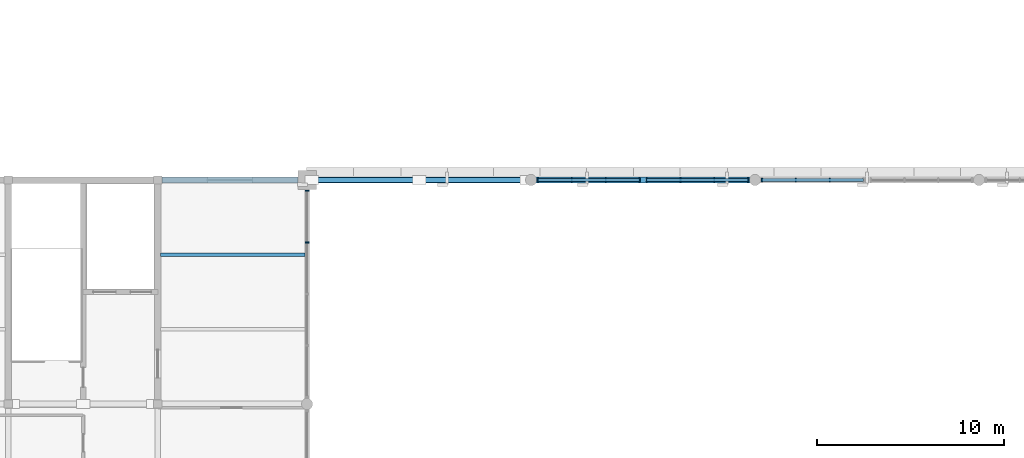
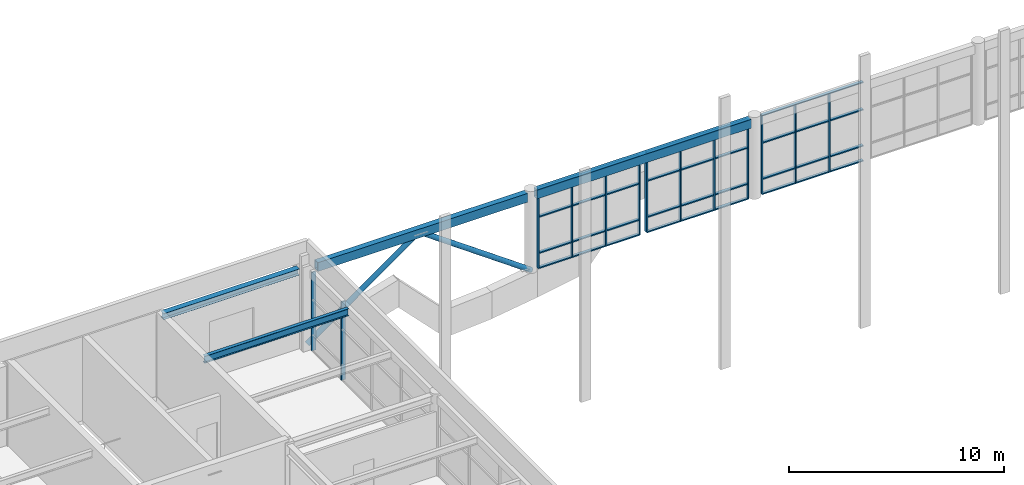
# One storey, part 20 of 63: 27 members, 4 beams, 4 elements without a shape of their own.
"""IFC4 building model written with IfcOpenShell, lengths in metres."""

from ifc_helpers import new_model, si_unit, direction, frame, origin, origin_2d, place, context, subcontext, project, spatial, rectangle, hollow_rectangle, hollow_circle, i_section, extrude, material, layer, layer_set, material_profile, profile_set, type_object, element, aggregate, save


model = new_model("IFC4")

# Units and contexts
model_context = context("Model", 3, precision=1e-05, world=origin(), true_north=direction((0.0, 1.0)))
body_context = subcontext(model_context, "Body", "Model", "MODEL_VIEW")
ifc_project = project(units=[si_unit("LENGTHUNIT", "METRE"), si_unit("AREAUNIT", "SQUARE_METRE"), si_unit("VOLUMEUNIT", "CUBIC_METRE"), si_unit("PLANEANGLEUNIT", "RADIAN"), si_unit("MASSUNIT", "GRAM", prefix="KILO")], contexts=[model_context])

# Site, building, storey
site_placement = place(None, origin())
site = spatial("IfcSite", under=ifc_project, at=site_placement, CompositionType="ELEMENT")
building_placement = place(site_placement, origin())
building = spatial("IfcBuilding", under=site, at=building_placement, Name="Keelwater Ferry Terminal", CompositionType="ELEMENT")
storey_placement = place(building_placement, frame((0.0, 0.0, 10.199951171875)))
storey = spatial("IfcBuildingStorey", under=building, at=storey_placement, Name="L02", CompositionType="ELEMENT", Elevation=10.199951171875)

# Members
ifc_material_1 = material(Name="Steel S355", Category="steel")
ifc_material_profile_1 = material_profile(ifc_material_1, hollow_circle(Radius=0.136474609375, WallThickness=0.012451171875, at=origin_2d()), Name="CHS 273x12.5")
ifc_profile_set_1 = profile_set([ifc_material_profile_1], Name="Steel S355")
member_type_1 = type_object("IfcMemberType", Name="BR2 CHS 273x12.5", PredefinedType="BRACE", material=ifc_profile_set_1)
for number, where, z_axis, x_axis, name in (
    (1, (48.0, 90.0, 0.0), (0.814740243451, 0.0, 0.579826125405), (0.0, 1.0, 0.0), "Structural Member MB-L02-0547"),
    (2, (60.0, 90.0, 0.0), (-0.814740243451, 0.0, 0.579826125405), (0.0, -1.0, 0.0), "Structural Member MB-L02-0548"),
):
    element("IfcMember", number, at=place(storey_placement, frame(where, z_axis=z_axis, x_axis=x_axis)), inside=storey, type_object=member_type_1, Name=name, PredefinedType="BRACE", context=body_context, shape_type="SweptSolid", body=[
        extrude(hollow_circle(Radius=0.136474609375, WallThickness=0.012451171875, at=origin_2d()), origin(), (0.0, 0.0, 1.0), 7.3642578125),
    ])

# Curtain wall, members
ifc_material_2 = material(Name="Thermally broken unitised aluminium and triple glass", Category="aluminium")
ifc_layer_1 = layer(ifc_material_2, 0.179931640625)
ifc_layer_set_1 = layer_set([ifc_layer_1], Name="Thermally broken unitised aluminium and triple glass")
curtain_wall_type_1 = type_object("IfcCurtainWallType", Name="CW-07 Unitised Curtain Wall 5430x4450", PredefinedType="USERDEFINED", material=ifc_layer_set_1)
curtain_wall_1_placement = place(storey_placement, origin())
curtain_wall_1 = element("IfcCurtainWall", 3, at=curtain_wall_1_placement, inside=storey, type_object=curtain_wall_type_1, Name="Unitised Curtain Wall CW-L02-039", ObjectType="UNITISED CURTAIN WALL", PredefinedType="USERDEFINED")
ifc_material_3 = material(Name="Aluminium mullion", Category="aluminium")
ifc_material_profile_2 = material_profile(ifc_material_3, rectangle(XDim=0.06494140625, YDim=0.179931640625, at=origin_2d()), Name="CWM-01")
ifc_profile_set_2 = profile_set([ifc_material_profile_2], Name="Aluminium mullion")
member_type_2 = type_object("IfcMemberType", Name="CWM-01 Curtain Mullion 65x180", PredefinedType="MULLION", material=ifc_profile_set_2)
member_1_placement = place(storey_placement, frame((60.375, 90.0, 0.0), z_axis=(0.0, 0.0, 1.0), x_axis=(1.0, 0.0, 0.0)))
member_1 = element("IfcMember", 4, at=member_1_placement, type_object=member_type_2, Name="CW-L02-039 Mullion 1", PredefinedType="MULLION", context=body_context, shape_type="SweptSolid", body=[
    extrude(rectangle(XDim=0.06494140625, YDim=0.179931640625, at=origin_2d()), origin(), (0.0, 0.0, 1.0), 4.449951171875),
])
member_2_placement = place(storey_placement, frame((62.18505859375, 90.0, 0.0), z_axis=(0.0, 0.0, 1.0), x_axis=(1.0, 0.0, 0.0)))
member_2 = element("IfcMember", 5, at=member_2_placement, type_object=member_type_2, Name="CW-L02-039 Mullion 2", PredefinedType="MULLION", context=body_context, shape_type="SweptSolid", body=[
    extrude(rectangle(XDim=0.06494140625, YDim=0.179931640625, at=origin_2d()), origin(), (0.0, 0.0, 1.0), 4.449951171875),
])
member_3_placement = place(storey_placement, frame((63.9951171875, 90.0, 0.0), z_axis=(0.0, 0.0, 1.0), x_axis=(1.0, 0.0, 0.0)))
member_3 = element("IfcMember", 6, at=member_3_placement, type_object=member_type_2, Name="CW-L02-039 Mullion 3", PredefinedType="MULLION", context=body_context, shape_type="SweptSolid", body=[
    extrude(rectangle(XDim=0.06494140625, YDim=0.179931640625, at=origin_2d()), origin(), (0.0, 0.0, 1.0), 4.449951171875),
])
member_4_placement = place(storey_placement, frame((65.804931640625, 90.0, 0.0), z_axis=(0.0, 0.0, 1.0), x_axis=(1.0, 0.0, 0.0)))
member_4 = element("IfcMember", 7, at=member_4_placement, type_object=member_type_2, Name="CW-L02-039 Mullion 4", PredefinedType="MULLION", context=body_context, shape_type="SweptSolid", body=[
    extrude(rectangle(XDim=0.06494140625, YDim=0.179931640625, at=origin_2d()), origin(), (0.0, 0.0, 1.0), 4.449951171875),
])

curtain_wall_2_placement = place(storey_placement, origin())
curtain_wall_2 = element("IfcCurtainWall", 8, at=curtain_wall_2_placement, inside=storey, type_object=curtain_wall_type_1, Name="Unitised Curtain Wall CW-L02-040", ObjectType="UNITISED CURTAIN WALL", PredefinedType="USERDEFINED")
member_5_placement = place(storey_placement, frame((66.195068359375, 90.0, 0.0), z_axis=(0.0, 0.0, 1.0), x_axis=(1.0, 0.0, 0.0)))
member_5 = element("IfcMember", 9, at=member_5_placement, type_object=member_type_2, Name="CW-L02-040 Mullion 1", PredefinedType="MULLION", context=body_context, shape_type="SweptSolid", body=[
    extrude(rectangle(XDim=0.06494140625, YDim=0.179931640625, at=origin_2d()), origin(), (0.0, 0.0, 1.0), 4.449951171875),
])
member_6_placement = place(storey_placement, frame((68.0048828125, 90.0, 0.0), z_axis=(0.0, 0.0, 1.0), x_axis=(1.0, 0.0, 0.0)))
member_6 = element("IfcMember", 10, at=member_6_placement, type_object=member_type_2, Name="CW-L02-040 Mullion 2", PredefinedType="MULLION", context=body_context, shape_type="SweptSolid", body=[
    extrude(rectangle(XDim=0.06494140625, YDim=0.179931640625, at=origin_2d()), origin(), (0.0, 0.0, 1.0), 4.449951171875),
])
member_7_placement = place(storey_placement, frame((69.81494140625, 90.0, 0.0), z_axis=(0.0, 0.0, 1.0), x_axis=(1.0, 0.0, 0.0)))
member_7 = element("IfcMember", 11, at=member_7_placement, type_object=member_type_2, Name="CW-L02-040 Mullion 3", PredefinedType="MULLION", context=body_context, shape_type="SweptSolid", body=[
    extrude(rectangle(XDim=0.06494140625, YDim=0.179931640625, at=origin_2d()), origin(), (0.0, 0.0, 1.0), 4.449951171875),
])
member_8_placement = place(storey_placement, frame((71.625, 90.0, 0.0), z_axis=(0.0, 0.0, 1.0), x_axis=(1.0, 0.0, 0.0)))
member_8 = element("IfcMember", 12, at=member_8_placement, type_object=member_type_2, Name="CW-L02-040 Mullion 4", PredefinedType="MULLION", context=body_context, shape_type="SweptSolid", body=[
    extrude(rectangle(XDim=0.06494140625, YDim=0.179931640625, at=origin_2d()), origin(), (0.0, 0.0, 1.0), 4.449951171875),
])

curtain_wall_3_placement = place(storey_placement, origin())
curtain_wall_3 = element("IfcCurtainWall", 13, at=curtain_wall_3_placement, inside=storey, type_object=curtain_wall_type_1, Name="Unitised Curtain Wall CW-L02-041", ObjectType="UNITISED CURTAIN WALL", PredefinedType="USERDEFINED")
member_9_placement = place(storey_placement, frame((72.375, 90.0, 0.0), z_axis=(0.0, 0.0, 1.0), x_axis=(1.0, 0.0, 0.0)))
member_9 = element("IfcMember", 14, at=member_9_placement, type_object=member_type_2, Name="CW-L02-041 Mullion 1", PredefinedType="MULLION", context=body_context, shape_type="SweptSolid", body=[
    extrude(rectangle(XDim=0.06494140625, YDim=0.179931640625, at=origin_2d()), origin(), (0.0, 0.0, 1.0), 4.449951171875),
])
member_10_placement = place(storey_placement, frame((74.18505859375, 90.0, 0.0), z_axis=(0.0, 0.0, 1.0), x_axis=(1.0, 0.0, 0.0)))
member_10 = element("IfcMember", 15, at=member_10_placement, type_object=member_type_2, Name="CW-L02-041 Mullion 2", PredefinedType="MULLION", context=body_context, shape_type="SweptSolid", body=[
    extrude(rectangle(XDim=0.06494140625, YDim=0.179931640625, at=origin_2d()), origin(), (0.0, 0.0, 1.0), 4.449951171875),
])
member_11_placement = place(storey_placement, frame((75.9951171875, 90.0, 0.0), z_axis=(0.0, 0.0, 1.0), x_axis=(1.0, 0.0, 0.0)))
member_11 = element("IfcMember", 16, at=member_11_placement, type_object=member_type_2, Name="CW-L02-041 Mullion 3", PredefinedType="MULLION", context=body_context, shape_type="SweptSolid", body=[
    extrude(rectangle(XDim=0.06494140625, YDim=0.179931640625, at=origin_2d()), origin(), (0.0, 0.0, 1.0), 4.449951171875),
])

ifc_material_4 = material(Name="Thermally broken unitised aluminium and triple glass", Category="aluminium")
ifc_layer_2 = layer(ifc_material_4, 0.179931640625)
ifc_layer_set_2 = layer_set([ifc_layer_2], Name="Thermally broken unitised aluminium and triple glass")
curtain_wall_type_2 = type_object("IfcCurtainWallType", Name="CW-14 Unitised Curtain Wall 11050x4450", PredefinedType="USERDEFINED", material=ifc_layer_set_2)
curtain_wall_4_placement = place(storey_placement, origin())
curtain_wall_4 = element("IfcCurtainWall", 17, at=curtain_wall_4_placement, inside=storey, type_object=curtain_wall_type_2, Name="Unitised Curtain Wall CW-L02-073", ObjectType="UNITISED CURTAIN WALL", PredefinedType="USERDEFINED")
ifc_material_5 = material(Name="Aluminium mullion", Category="aluminium")
ifc_material_profile_3 = material_profile(ifc_material_5, rectangle(XDim=0.074951171875, YDim=0.219970703125, at=origin_2d()), Name="CWM-02")
ifc_profile_set_3 = profile_set([ifc_material_profile_3], Name="Aluminium mullion")
member_type_3 = type_object("IfcMemberType", Name="CWM-02 Curtain Mullion 75x220", PredefinedType="MULLION", material=ifc_profile_set_3)
member_12_placement = place(storey_placement, frame((48.0, 86.66259765625, 0.0), z_axis=(0.0, 0.0, 1.0), x_axis=(0.0, 1.0, 0.0)))
member_12 = element("IfcMember", 18, at=member_12_placement, type_object=member_type_3, Name="CW-L02-073 Mullion 4", PredefinedType="MULLION", context=body_context, shape_type="SweptSolid", body=[
    extrude(rectangle(XDim=0.074951171875, YDim=0.219970703125, at=origin_2d()), origin(), (0.0, 0.0, 1.0), 4.449951171875),
])
member_13_placement = place(storey_placement, frame((48.0, 89.425048828125, 0.0), z_axis=(0.0, 0.0, 1.0), x_axis=(0.0, 1.0, 0.0)))
member_13 = element("IfcMember", 19, at=member_13_placement, type_object=member_type_3, Name="CW-L02-073 Mullion 5", PredefinedType="MULLION", context=body_context, shape_type="SweptSolid", body=[
    extrude(rectangle(XDim=0.074951171875, YDim=0.219970703125, at=origin_2d()), origin(), (0.0, 0.0, 1.0), 4.449951171875),
])
aggregate(curtain_wall_4, [member_12, member_13])

# Member
ifc_material_6 = material(Name="Aluminium mullion", Category="aluminium")
ifc_material_profile_4 = material_profile(ifc_material_6, rectangle(XDim=0.159912109375, YDim=0.06494140625, at=origin_2d()), Name="CWT-01")
ifc_profile_set_4 = profile_set([ifc_material_profile_4], Name="Aluminium mullion")
member_type_4 = type_object("IfcMemberType", Name="CWT-01 Curtain Transom 65x160", PredefinedType="USERDEFINED", material=ifc_profile_set_4)
member_14_placement = place(storey_placement, frame((60.375, 90.0, 0.0), z_axis=(1.0, 0.0, 0.0), x_axis=(0.0, 1.0, 0.0)))
member_14 = element("IfcMember", 20, at=member_14_placement, type_object=member_type_4, Name="CW-L02-039 Transom 1", ObjectType="TRANSOM", PredefinedType="USERDEFINED", context=body_context, shape_type="SweptSolid", body=[
    extrude(rectangle(XDim=0.159912109375, YDim=0.06494140625, at=origin_2d()), origin(), (0.0, 0.0, 1.0), 5.429931640625),
])

member_15_placement = place(storey_placement, frame((60.375, 90.0, 0.85009765625), z_axis=(1.0, 0.0, 0.0), x_axis=(0.0, 1.0, 0.0)))
member_15 = element("IfcMember", 21, at=member_15_placement, type_object=member_type_4, Name="CW-L02-039 Transom 2", ObjectType="TRANSOM", PredefinedType="USERDEFINED", context=body_context, shape_type="SweptSolid", body=[
    extrude(rectangle(XDim=0.159912109375, YDim=0.06494140625, at=origin_2d()), origin(), (0.0, 0.0, 1.0), 5.429931640625),
])

member_16_placement = place(storey_placement, frame((60.375, 90.0, 2.900146484375), z_axis=(1.0, 0.0, 0.0), x_axis=(0.0, 1.0, 0.0)))
member_16 = element("IfcMember", 22, at=member_16_placement, type_object=member_type_4, Name="CW-L02-039 Transom 3", ObjectType="TRANSOM", PredefinedType="USERDEFINED", context=body_context, shape_type="SweptSolid", body=[
    extrude(rectangle(XDim=0.159912109375, YDim=0.06494140625, at=origin_2d()), origin(), (0.0, 0.0, 1.0), 5.429931640625),
])

member_17_placement = place(storey_placement, frame((60.375, 90.0, 4.449951171875), z_axis=(1.0, 0.0, 0.0), x_axis=(0.0, 1.0, 0.0)))
member_17 = element("IfcMember", 23, at=member_17_placement, type_object=member_type_4, Name="CW-L02-039 Transom 4", ObjectType="TRANSOM", PredefinedType="USERDEFINED", context=body_context, shape_type="SweptSolid", body=[
    extrude(rectangle(XDim=0.159912109375, YDim=0.06494140625, at=origin_2d()), origin(), (0.0, 0.0, 1.0), 5.429931640625),
])

aggregate(curtain_wall_1, [member_1, member_2, member_3, member_4, member_14, member_15, member_16, member_17])

member_18_placement = place(storey_placement, frame((66.195068359375, 90.0, 0.0), z_axis=(1.0, 0.0, 0.0), x_axis=(0.0, 1.0, 0.0)))
member_18 = element("IfcMember", 24, at=member_18_placement, type_object=member_type_4, Name="CW-L02-040 Transom 1", ObjectType="TRANSOM", PredefinedType="USERDEFINED", context=body_context, shape_type="SweptSolid", body=[
    extrude(rectangle(XDim=0.159912109375, YDim=0.06494140625, at=origin_2d()), origin(), (0.0, 0.0, 1.0), 5.429931640625),
])

member_19_placement = place(storey_placement, frame((66.195068359375, 90.0, 0.85009765625), z_axis=(1.0, 0.0, 0.0), x_axis=(0.0, 1.0, 0.0)))
member_19 = element("IfcMember", 25, at=member_19_placement, type_object=member_type_4, Name="CW-L02-040 Transom 2", ObjectType="TRANSOM", PredefinedType="USERDEFINED", context=body_context, shape_type="SweptSolid", body=[
    extrude(rectangle(XDim=0.159912109375, YDim=0.06494140625, at=origin_2d()), origin(), (0.0, 0.0, 1.0), 5.429931640625),
])

member_20_placement = place(storey_placement, frame((66.195068359375, 90.0, 2.900146484375), z_axis=(1.0, 0.0, 0.0), x_axis=(0.0, 1.0, 0.0)))
member_20 = element("IfcMember", 26, at=member_20_placement, type_object=member_type_4, Name="CW-L02-040 Transom 3", ObjectType="TRANSOM", PredefinedType="USERDEFINED", context=body_context, shape_type="SweptSolid", body=[
    extrude(rectangle(XDim=0.159912109375, YDim=0.06494140625, at=origin_2d()), origin(), (0.0, 0.0, 1.0), 5.429931640625),
])

member_21_placement = place(storey_placement, frame((66.195068359375, 90.0, 4.449951171875), z_axis=(1.0, 0.0, 0.0), x_axis=(0.0, 1.0, 0.0)))
member_21 = element("IfcMember", 27, at=member_21_placement, type_object=member_type_4, Name="CW-L02-040 Transom 4", ObjectType="TRANSOM", PredefinedType="USERDEFINED", context=body_context, shape_type="SweptSolid", body=[
    extrude(rectangle(XDim=0.159912109375, YDim=0.06494140625, at=origin_2d()), origin(), (0.0, 0.0, 1.0), 5.429931640625),
])

aggregate(curtain_wall_2, [member_5, member_6, member_7, member_8, member_18, member_19, member_20, member_21])

member_22_placement = place(storey_placement, frame((72.375, 90.0, 0.0), z_axis=(1.0, 0.0, 0.0), x_axis=(0.0, 1.0, 0.0)))
member_22 = element("IfcMember", 28, at=member_22_placement, type_object=member_type_4, Name="CW-L02-041 Transom 1", ObjectType="TRANSOM", PredefinedType="USERDEFINED", context=body_context, shape_type="SweptSolid", body=[
    extrude(rectangle(XDim=0.159912109375, YDim=0.06494140625, at=origin_2d()), origin(), (0.0, 0.0, 1.0), 5.429931640625),
])

member_23_placement = place(storey_placement, frame((72.375, 90.0, 0.85009765625), z_axis=(1.0, 0.0, 0.0), x_axis=(0.0, 1.0, 0.0)))
member_23 = element("IfcMember", 29, at=member_23_placement, type_object=member_type_4, Name="CW-L02-041 Transom 2", ObjectType="TRANSOM", PredefinedType="USERDEFINED", context=body_context, shape_type="SweptSolid", body=[
    extrude(rectangle(XDim=0.159912109375, YDim=0.06494140625, at=origin_2d()), origin(), (0.0, 0.0, 1.0), 5.429931640625),
])

member_24_placement = place(storey_placement, frame((72.375, 90.0, 2.900146484375), z_axis=(1.0, 0.0, 0.0), x_axis=(0.0, 1.0, 0.0)))
member_24 = element("IfcMember", 30, at=member_24_placement, type_object=member_type_4, Name="CW-L02-041 Transom 3", ObjectType="TRANSOM", PredefinedType="USERDEFINED", context=body_context, shape_type="SweptSolid", body=[
    extrude(rectangle(XDim=0.159912109375, YDim=0.06494140625, at=origin_2d()), origin(), (0.0, 0.0, 1.0), 5.429931640625),
])

member_25_placement = place(storey_placement, frame((72.375, 90.0, 4.449951171875), z_axis=(1.0, 0.0, 0.0), x_axis=(0.0, 1.0, 0.0)))
member_25 = element("IfcMember", 31, at=member_25_placement, type_object=member_type_4, Name="CW-L02-041 Transom 4", ObjectType="TRANSOM", PredefinedType="USERDEFINED", context=body_context, shape_type="SweptSolid", body=[
    extrude(rectangle(XDim=0.159912109375, YDim=0.06494140625, at=origin_2d()), origin(), (0.0, 0.0, 1.0), 5.429931640625),
])

aggregate(curtain_wall_3, [member_9, member_10, member_11, member_22, member_23, member_24, member_25])

# Beams
ifc_material_7 = material(Name="Steel S355", Category="steel")
ifc_material_profile_5 = material_profile(ifc_material_7, i_section(OverallWidth=0.179931640625, OverallDepth=0.39990234375, WebThickness=0.008544921875, FlangeThickness=0.013427734375, at=origin_2d()), Name="IPE 400")
ifc_profile_set_5 = profile_set([ifc_material_profile_5], Name="Steel S355")
beam_type_1 = type_object("IfcBeamType", Name="J5 IPE 400", PredefinedType="JOIST", material=ifc_profile_set_5)
beam_1_placement = place(storey_placement, frame((40.14990234375, 86.0, 4.320068359375), z_axis=(1.0, 0.0, 0.0), x_axis=(0.0, 1.0, 0.0)))
element("IfcBeam", 32, at=beam_1_placement, inside=storey, type_object=beam_type_1, Name="Beam BM-L02-1175", PredefinedType="JOIST", context=body_context, shape_type="SweptSolid", body=[
    extrude(i_section(OverallWidth=0.179931640625, OverallDepth=0.39990234375, WebThickness=0.008544921875, FlangeThickness=0.013427734375, at=origin_2d()), origin(), (0.0, 0.0, 1.0), 7.72509765625),
])
ifc_material_8 = material(Name="Steel S355", Category="steel")
ifc_material_profile_6 = material_profile(ifc_material_8, hollow_rectangle(XDim=0.300048828125, YDim=0.5, WallThickness=0.02001953125, at=origin_2d()), Name="RHS 500x300x20")
ifc_profile_set_6 = profile_set([ifc_material_profile_6], Name="Steel S355")
beam_type_2 = type_object("IfcBeamType", Name="RB1E RHS 500x300x20", PredefinedType="SPANDREL", material=ifc_profile_set_6)
beam_2_placement = place(storey_placement, frame((48.489990234375, 90.0, 4.27001953125), z_axis=(1.0, 0.0, 0.0), x_axis=(0.0, 1.0, 0.0)))
element("IfcBeam", 33, at=beam_2_placement, inside=storey, type_object=beam_type_2, Name="Beam BM-L02-1032", PredefinedType="SPANDREL", context=body_context, shape_type="SweptSolid", body=[
    extrude(hollow_rectangle(XDim=0.300048828125, YDim=0.5, WallThickness=0.02001953125, at=origin_2d()), origin(), (0.0, 0.0, 1.0), 11.263916015625),
])
beam_3_placement = place(storey_placement, frame((60.24609375, 90.0, 4.27001953125), z_axis=(1.0, 0.0, 0.0), x_axis=(0.0, 1.0, 0.0)))
element("IfcBeam", 34, at=beam_3_placement, inside=storey, type_object=beam_type_2, Name="Beam BM-L02-1033", PredefinedType="SPANDREL", context=body_context, shape_type="SweptSolid", body=[
    extrude(hollow_rectangle(XDim=0.300048828125, YDim=0.5, WallThickness=0.02001953125, at=origin_2d()), origin(), (0.0, 0.0, 1.0), 11.5078125),
])
ifc_material_9 = material(Name="Steel S355", Category="steel")
ifc_material_profile_7 = material_profile(ifc_material_9, i_section(OverallWidth=0.300048828125, OverallDepth=0.35009765625, WebThickness=0.010009765625, FlangeThickness=0.017578125, at=origin_2d()), Name="HEA 360")
ifc_profile_set_7 = profile_set([ifc_material_profile_7], Name="Steel S355")
beam_type_3 = type_object("IfcBeamType", Name="SP1E HEA 360", PredefinedType="SPANDREL", material=ifc_profile_set_7)
beam_4_placement = place(storey_placement, frame((40.219970703125, 90.0, 4.344970703125), z_axis=(1.0, 0.0, 0.0), x_axis=(0.0, 1.0, 0.0)))
element("IfcBeam", 35, at=beam_4_placement, inside=storey, type_object=beam_type_3, Name="Beam BM-L02-1031", PredefinedType="SPANDREL", context=body_context, shape_type="SweptSolid", body=[
    extrude(i_section(OverallWidth=0.300048828125, OverallDepth=0.35009765625, WebThickness=0.010009765625, FlangeThickness=0.017578125, at=origin_2d()), origin(), (0.0, 0.0, 1.0), 7.2900390625),
])

save(model, "model.ifc")
